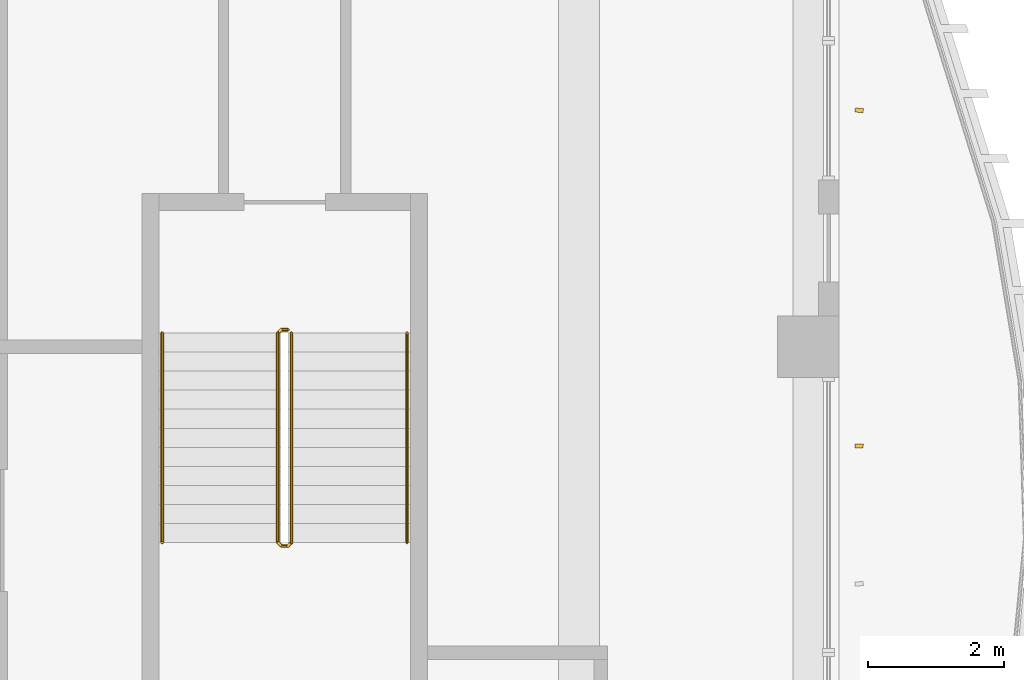
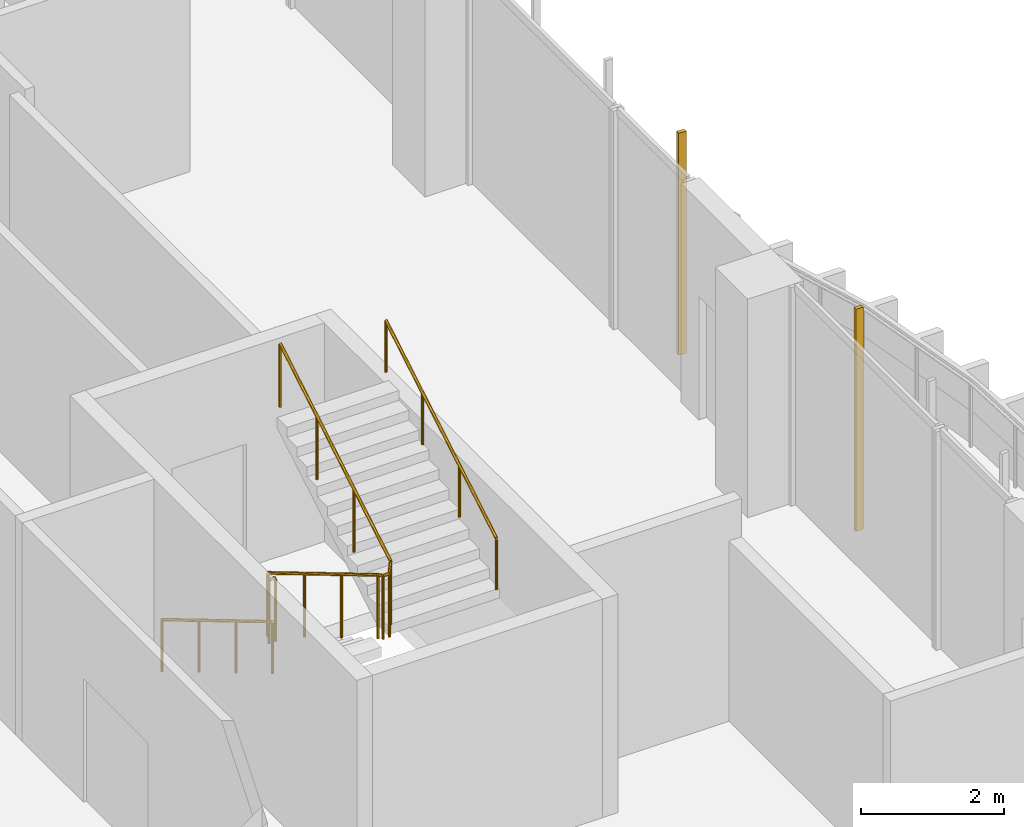
# One storey, part 21 of 25: 3 railings, 2 shading devices.
"""IFC4 building model written with IfcOpenShell, lengths in metres."""

import ifcopenshell
import ifcopenshell.guid

model = None  # the IFC model being written
_history = None  # IfcOwnerHistory: only IFC2X3 demands one
_inside = {}  # id of a spatial element -> (the spatial element, [elements in it])
_under = {}  # id of a project, library or spatial element -> (it, [spatial elements below it])
_declared = {}  # id of a project -> (the project, [libraries it declares])
_typed = {}  # id of a type object -> (the type object, [elements of that type])
_made_of = {}  # id of a material, layer set ... -> (it, [elements and type objects made of it])


def new_model(schema):
    """Start an empty IFC model of exactly this schema.

    Asked for "IFC4X3", IfcOpenShell would pick the latest addendum, in which some entities
    have other attributes; the version numbers below select the first issue.
    IFC2X3 requires an IfcOwnerHistory on every rooted entity: one is made here for all.
    """
    global model, _history
    if schema == "IFC4X3":
        model = ifcopenshell.file(schema_version=(4, 3, 0, 0))
    else:
        model = ifcopenshell.file(schema=schema)
    _inside.clear()
    _under.clear()
    _declared.clear()
    _typed.clear()
    _made_of.clear()
    _history = None
    if model.schema == "IFC2X3":
        org = make("IfcOrganization", Name="unknown")
        user = make(
            "IfcPersonAndOrganization",
            ThePerson=make("IfcPerson", FamilyName="unknown"),
            TheOrganization=org,
        )
        app = make(
            "IfcApplication",
            ApplicationDeveloper=org,
            Version="unknown",
            ApplicationFullName="unknown",
            ApplicationIdentifier="unknown",
        )
        _history = make(
            "IfcOwnerHistory",
            OwningUser=user,
            OwningApplication=app,
            ChangeAction="ADDED",
            CreationDate=0,
        )
    return model


def make(cls, **values):
    """One entity of the class cls with the attributes given. An attribute that is None is left unset."""
    return model.create_entity(
        cls, **{name: value for name, value in values.items() if value is not None}
    )


def rooted(cls, **values):
    """An entity with a GlobalId (a new one), such as an element, a storey or a relation."""
    return make(cls, GlobalId=ifcopenshell.guid.new(), OwnerHistory=_history, **values)


def si_unit(unit_type, name, prefix=None):
    """IfcSIUnit, for example si_unit("LENGTHUNIT", "METRE", prefix="MILLI")."""
    return make("IfcSIUnit", UnitType=unit_type, Prefix=prefix, Name=name)


def assignment(units):
    """IfcUnitAssignment: the units of a project."""
    return None if units is None else make("IfcUnitAssignment", Units=units)


def point(xyz):
    """IfcCartesianPoint."""
    return None if xyz is None else make("IfcCartesianPoint", Coordinates=xyz)


def direction(xyz):
    """IfcDirection."""
    return None if xyz is None else make("IfcDirection", DirectionRatios=xyz)


def frame(location, z_axis=None, x_axis=None):
    """IfcAxis2Placement3D, a coordinate frame: its origin and axes. An axis left out is left unset."""
    return make(
        "IfcAxis2Placement3D",
        Location=point(location),
        Axis=direction(z_axis),
        RefDirection=direction(x_axis),
    )


def frame_2d(location, x_axis=None):
    """IfcAxis2Placement2D, a coordinate frame in the plane: its origin and x axis."""
    return make(
        "IfcAxis2Placement2D", Location=point(location), RefDirection=direction(x_axis)
    )


def origin():
    """The frame at (0, 0, 0) with its axes left unset."""
    return frame((0.0, 0.0, 0.0))


def origin_2d():
    """The frame at (0, 0) in the plane with its x axis left unset."""
    return frame_2d((0.0, 0.0))


def place(relative_to, where):
    """IfcLocalPlacement: puts the frame where relative to a parent placement (None: the world)."""
    return make(
        "IfcLocalPlacement", PlacementRelTo=relative_to, RelativePlacement=where
    )


def context(
    kind, dimensions, precision=None, world=None, true_north=None, identifier=None
):
    """IfcGeometricRepresentationContext, for example the 3D "Model" context."""
    return make(
        "IfcGeometricRepresentationContext",
        ContextIdentifier=identifier,
        ContextType=kind,
        CoordinateSpaceDimension=dimensions,
        Precision=precision,
        WorldCoordinateSystem=world,
        TrueNorth=true_north,
    )


def subcontext(parent, identifier, kind, view, scale=None):
    """IfcGeometricRepresentationSubContext, for example "Body" below "Model"."""
    return make(
        "IfcGeometricRepresentationSubContext",
        ContextIdentifier=identifier,
        ContextType=kind,
        ParentContext=parent,
        TargetScale=scale,
        TargetView=view,
    )


def project(units=None, contexts=None):
    """IfcProject with its units and contexts."""
    return rooted(
        "IfcProject",
        Name="project",
        RepresentationContexts=contexts,
        UnitsInContext=assignment(units),
    )


def spatial(cls, under=None, at=None, **own):
    """A site, building, storey or space (cls), placed at a placement, below another one or the project."""
    s = rooted(cls, ObjectPlacement=at, **own)
    if under is not None:
        _under.setdefault(under.id(), (under, []))[1].append(s)
    return s


def profile(cls, at=None, kind="AREA", **sizes):
    """A parametric profile (cls). Its sizes go by their IFC names, for example OverallWidth=200.0."""
    return make(cls, ProfileType=kind, Position=at, **sizes)


def rectangle(**sizes):
    """IfcRectangleProfileDef."""
    return profile("IfcRectangleProfileDef", **sizes)


def circle(**sizes):
    """IfcCircleProfileDef."""
    return profile("IfcCircleProfileDef", **sizes)


def extrude(swept, where, along, depth):
    """IfcExtrudedAreaSolid: the profile swept, set in the frame where, extruded along a direction by depth."""
    return make(
        "IfcExtrudedAreaSolid",
        SweptArea=swept,
        Position=where,
        ExtrudedDirection=direction(along),
        Depth=depth,
    )


def shape(context_of_items, identifier, shape_type, items):
    """IfcShapeRepresentation: the items that make up one representation, for example the "Body"."""
    return make(
        "IfcShapeRepresentation",
        ContextOfItems=context_of_items,
        RepresentationIdentifier=identifier,
        RepresentationType=shape_type,
        Items=items,
    )


def source(mapping_origin, context_of_items, identifier, shape_type, items):
    """IfcRepresentationMap: a shape defined once, which mapped items show again and again."""
    return make(
        "IfcRepresentationMap",
        MappingOrigin=mapping_origin,
        MappedRepresentation=shape(context_of_items, identifier, shape_type, items),
    )


def transform(
    local_origin,
    x_axis=None,
    y_axis=None,
    z_axis=None,
    scale=None,
    scale2=None,
    scale3=None,
    uniform=True,
):
    """IfcCartesianTransformationOperator3D, or its non-uniform kind. x_axis, y_axis, z_axis: its Axis1, 2, 3."""
    if uniform:
        return make(
            "IfcCartesianTransformationOperator3D",
            Axis1=direction(x_axis),
            Axis2=direction(y_axis),
            LocalOrigin=point(local_origin),
            Scale=scale,
            Axis3=direction(z_axis),
        )
    return make(
        "IfcCartesianTransformationOperator3DnonUniform",
        Axis1=direction(x_axis),
        Axis2=direction(y_axis),
        LocalOrigin=point(local_origin),
        Scale=scale,
        Axis3=direction(z_axis),
        Scale2=scale2,
        Scale3=scale3,
    )


def mapped(mapping_source, mapping_target):
    """IfcMappedItem: shows the shape of a source again, moved by a transform."""
    return make(
        "IfcMappedItem", MappingSource=mapping_source, MappingTarget=mapping_target
    )


def material(Name=None, Category=None):
    """IfcMaterial."""
    return make("IfcMaterial", Name=Name, Category=Category)


def material_profile(
    of_material, cross_section, Name=None, Category=None, Priority=None
):
    """IfcMaterialProfile: a cross section and its material."""
    return make(
        "IfcMaterialProfile",
        Name=Name,
        Material=of_material,
        Profile=cross_section,
        Priority=Priority,
        Category=Category,
    )


def profile_set(profiles, Name=None, composite=None):
    """IfcMaterialProfileSet."""
    return make(
        "IfcMaterialProfileSet",
        Name=Name,
        MaterialProfiles=profiles,
        CompositeProfile=composite,
    )


def made_of(thing, what):
    """Note that an element or type object is made of a material, layer set ...; save() writes the relation."""
    if what is not None:
        _made_of.setdefault(what.id(), (what, []))[1].append(thing)
    return thing


def type_object(cls, material=None, **own):
    """A type object (cls), such as IfcWallType, which elements share."""
    return made_of(rooted(cls, **own), material)


def element(
    cls,
    number,
    at=None,
    inside=None,
    cuts=None,
    type_object=None,
    material=None,
    context=None,
    identifier="Body",
    shape_type=None,
    held_by="IfcProductDefinitionShape",
    body=None,
    shapes=None,
    **own,
):
    """One element of the class cls, such as IfcWall. Its Tag is "e" and its number.

    at: its placement. inside: the storey or other place that contains it. cuts: it is an
    opening in that element (IfcRelVoidsElement). A single representation is given by context,
    identifier, shape_type and body (its items); several are given by shapes. held_by: the class
    of the entity that holds the representations. save() writes the other relations.
    """
    e = rooted(cls, Tag="e%d" % number, ObjectPlacement=at, **own)
    if body is not None:
        shapes = [shape(context, identifier, shape_type, body)]
    if shapes is not None:
        e.Representation = make(held_by, Representations=shapes)
    if inside is not None:
        _inside.setdefault(inside.id(), (inside, []))[1].append(e)
    if cuts is not None:
        rooted(
            "IfcRelVoidsElement", RelatingBuildingElement=cuts, RelatedOpeningElement=e
        )
    if type_object is not None:
        _typed.setdefault(type_object.id(), (type_object, []))[1].append(e)
    return made_of(e, material)


def aggregate(whole, parts):
    """IfcRelAggregates: a whole, such as a stair, and the parts it consists of."""
    return rooted("IfcRelAggregates", RelatingObject=whole, RelatedObjects=parts)


def save(model, path):
    """Write the relations noted so far, then the file.

    IfcRelAggregates (storeys below a building ...), IfcRelContainedInSpatialStructure (elements
    in a storey), IfcRelDefinesByType, IfcRelAssociatesMaterial and IfcRelDeclares: one each for
    every whole, place, type object, material and project.
    """
    for whole, parts in _under.values():
        aggregate(whole, parts)
    for where, things in _inside.values():
        rooted(
            "IfcRelContainedInSpatialStructure",
            RelatedElements=things,
            RelatingStructure=where,
        )
    for kind, things in _typed.values():
        rooted("IfcRelDefinesByType", RelatedObjects=things, RelatingType=kind)
    for what, things in _made_of.values():
        rooted("IfcRelAssociatesMaterial", RelatedObjects=things, RelatingMaterial=what)
    for by, libraries in _declared.values():
        rooted("IfcRelDeclares", RelatingContext=by, RelatedDefinitions=libraries)
    model.write(path)


model = new_model("IFC4")

# Units and contexts
model_context = context("Model", 3, precision=1e-05, world=origin(), true_north=direction((0.0, 1.0)))
body_context = subcontext(model_context, "Body", "Model", "MODEL_VIEW")
ifc_project = project(units=[si_unit("LENGTHUNIT", "METRE"), si_unit("AREAUNIT", "SQUARE_METRE"), si_unit("VOLUMEUNIT", "CUBIC_METRE"), si_unit("PLANEANGLEUNIT", "RADIAN"), si_unit("MASSUNIT", "GRAM", prefix="KILO")], contexts=[model_context])

# Site, building, storey
site_placement = place(None, origin())
site = spatial("IfcSite", under=ifc_project, at=site_placement, CompositionType="ELEMENT")
building_placement = place(site_placement, origin())
building = spatial("IfcBuilding", under=site, at=building_placement, Name="Kilnfold Tower and Market Hall", CompositionType="ELEMENT")
storey_placement = place(building_placement, frame((0.0, 0.0, 39.0)))
storey = spatial("IfcBuildingStorey", under=building, at=storey_placement, Name="L08", CompositionType="ELEMENT", Elevation=39.0)

# Railings
ifc_material_1 = material(Name="Stainless steel 316", Category="steel")
railing_type_1 = type_object("IfcRailingType", Name="CORE STAIR GUARD 1100", PredefinedType="GUARDRAIL", material=ifc_material_1)
railing_1_placement = place(storey_placement, frame((19.89990234375, -9.75, 0.0)))
element("IfcRailing", 1, at=railing_1_placement, inside=storey, type_object=railing_type_1, Name="L08 ST4 stair guard 1", PredefinedType="GUARDRAIL", context=body_context, shape_type="SweptSolid", body=[
    extrude(circle(Radius=0.02392578125, at=origin_2d()), frame((0.0, 0.0, 1.076171875), z_axis=(-1.0, 0.0, 0.0), x_axis=(0.0, -1.0, 0.0)), (0.0, 0.0, 1.0), 0.099853515625),
    extrude(circle(Radius=0.02392578125, at=origin_2d()), frame((-0.099853515625, 0.0, 1.076171875), z_axis=(-0.27628659633, -0.27628659633, 0.920506074601), x_axis=(0.707106781187, -0.707106781187, 0.0)), (0.0, 0.0, 1.0), 0.18115234375),
    extrude(circle(Radius=0.02392578125, at=origin_2d()), frame((-0.14990234375, -0.050048828125, 1.24267578125), z_axis=(0.0, -0.859290745958, 0.51148745235), x_axis=(1.0, 0.0, 0.0)), (0.0, 0.0, 1.0), 3.584228515625),
    extrude(circle(Radius=0.02392578125, at=origin_2d()), frame((-0.14990234375, -3.1298828125, 3.076171875), z_axis=(0.707106781187, -0.707106781187, 0.0), x_axis=(0.707106781187, 0.707106781187, 0.0)), (0.0, 0.0, 1.0), 0.07080078125),
    extrude(circle(Radius=0.02392578125, at=origin_2d()), frame((-0.099853515625, -3.179931640625, 3.076171875), z_axis=(1.0, 0.0, 0.0), x_axis=(0.0, 1.0, 0.0)), (0.0, 0.0, 1.0), 0.099853515625),
    extrude(circle(Radius=0.02392578125, at=origin_2d()), frame((0.0, -3.179931640625, 3.076171875), z_axis=(0.27628659633, 0.27628659633, 0.920506074601), x_axis=(-0.707106781187, 0.707106781187, 0.0)), (0.0, 0.0, 1.0), 0.18115234375),
    extrude(circle(Radius=0.02392578125, at=origin_2d()), frame((0.050048828125, -3.1298828125, 3.24267578125), z_axis=(0.0, 0.859290745958, 0.51148745235), x_axis=(-1.0, 0.0, 0.0)), (0.0, 0.0, 1.0), 3.584228515625),
    extrude(circle(Radius=0.02099609375, at=origin_2d()), origin(), (0.0, 0.0, 1.0), 1.052001953125),
    extrude(circle(Radius=0.02099609375, at=origin_2d()), frame((-0.099853515625, 0.0, 0.0)), (0.0, 0.0, 1.0), 1.052001953125),
    extrude(circle(Radius=0.02099609375, at=origin_2d()), frame((-0.14990234375, -0.050048828125, 0.166748046875)), (0.0, 0.0, 1.0), 1.052001953125),
    extrude(circle(Radius=0.02099609375, at=origin_2d()), frame((-0.14990234375, -1.07666015625, 0.77783203125)), (0.0, 0.0, 1.0), 1.052001953125),
    extrude(circle(Radius=0.02099609375, at=origin_2d()), frame((-0.14990234375, -2.103271484375, 1.388916015625)), (0.0, 0.0, 1.0), 1.052001953125),
    extrude(circle(Radius=0.02099609375, at=origin_2d()), frame((-0.14990234375, -3.1298828125, 2.0)), (0.0, 0.0, 1.0), 1.052001953125),
    extrude(circle(Radius=0.02099609375, at=origin_2d()), frame((-0.099853515625, -3.179931640625, 2.0)), (0.0, 0.0, 1.0), 1.052001953125),
    extrude(circle(Radius=0.02099609375, at=origin_2d()), frame((0.0, -3.179931640625, 2.0)), (0.0, 0.0, 1.0), 1.052001953125),
    extrude(circle(Radius=0.02099609375, at=origin_2d()), frame((0.050048828125, -3.1298828125, 2.166748046875)), (0.0, 0.0, 1.0), 1.052001953125),
    extrude(circle(Radius=0.02099609375, at=origin_2d()), frame((0.050048828125, -2.103271484375, 2.77783203125)), (0.0, 0.0, 1.0), 1.052001953125),
    extrude(circle(Radius=0.02099609375, at=origin_2d()), frame((0.050048828125, -1.07666015625, 3.388916015625)), (0.0, 0.0, 1.0), 1.052001953125),
    extrude(circle(Radius=0.02099609375, at=origin_2d()), frame((0.050048828125, -0.050048828125, 4.0)), (0.0, 0.0, 1.0), 1.052001953125),
])
ifc_material_2 = material(Name="Stainless steel 316", Category="steel")
railing_type_2 = type_object("IfcRailingType", Name="CORE STAIR HANDRAIL 900", PredefinedType="HANDRAIL", material=ifc_material_2)
railing_2_placement = place(storey_placement, frame((18.050048828125, -9.800048828125, 0.166748046875)))
element("IfcRailing", 2, at=railing_2_placement, inside=storey, type_object=railing_type_2, Name="L08 ST4 stair handrail 1", PredefinedType="HANDRAIL", context=body_context, shape_type="SweptSolid", body=[
    extrude(circle(Radius=0.02392578125, at=origin_2d()), frame((0.0, 0.0, 0.8759765625), z_axis=(0.0, -0.859290745958, 0.51148745235), x_axis=(1.0, 0.0, 0.0)), (0.0, 0.0, 1.0), 3.584228515625),
    extrude(circle(Radius=0.02099609375, at=origin_2d()), origin(), (0.0, 0.0, 1.0), 0.851806640625),
    extrude(circle(Radius=0.02099609375, at=origin_2d()), frame((0.0, -1.026611328125, 0.611083984375)), (0.0, 0.0, 1.0), 0.851806640625),
    extrude(circle(Radius=0.02099609375, at=origin_2d()), frame((0.0, -2.05322265625, 1.22216796875)), (0.0, 0.0, 1.0), 0.851806640625),
    extrude(circle(Radius=0.02099609375, at=origin_2d()), frame((0.0, -3.079833984375, 1.833251953125)), (0.0, 0.0, 1.0), 0.851806640625),
])
railing_3_placement = place(storey_placement, frame((21.64990234375, -12.8798828125, 2.166748046875)))
element("IfcRailing", 3, at=railing_3_placement, inside=storey, type_object=railing_type_2, Name="L08 ST4 stair handrail 2", PredefinedType="HANDRAIL", context=body_context, shape_type="SweptSolid", body=[
    extrude(circle(Radius=0.02392578125, at=origin_2d()), frame((0.0, 0.0, 0.8759765625), z_axis=(0.0, 0.859290745958, 0.51148745235), x_axis=(-1.0, 0.0, 0.0)), (0.0, 0.0, 1.0), 3.584228515625),
    extrude(circle(Radius=0.02099609375, at=origin_2d()), origin(), (0.0, 0.0, 1.0), 0.851806640625),
    extrude(circle(Radius=0.02099609375, at=origin_2d()), frame((0.0, 1.026611328125, 0.611083984375)), (0.0, 0.0, 1.0), 0.851806640625),
    extrude(circle(Radius=0.02099609375, at=origin_2d()), frame((0.0, 2.05322265625, 1.22216796875)), (0.0, 0.0, 1.0), 0.851806640625),
    extrude(circle(Radius=0.02099609375, at=origin_2d()), frame((0.0, 3.079833984375, 1.833251953125)), (0.0, 0.0, 1.0), 0.851806640625),
])

# Shading devices
ifc_material_3 = material(Name="Terracotta", Category="masonry")
ifc_material_profile = material_profile(ifc_material_3, rectangle(XDim=0.06005859375, YDim=0.1201171875, at=origin_2d()), Name="BAG 60x120")
ifc_profile_set = profile_set([ifc_material_profile], Name="Terracotta")
shading_device_type = type_object("IfcShadingDeviceType", Name="BAGUETTE", PredefinedType="USERDEFINED", material=ifc_profile_set)
shared_shape = source(origin(), body_context, "Body", "SweptSolid", [
    extrude(rectangle(XDim=0.06005859375, YDim=0.1201171875, at=origin_2d()), origin(), (0.0, 0.0, 1.0), 3.780029296875),
])
for number, where, z_axis, x_axis, name in (
    (4, (28.300048828125, -11.46240234375, 0.0), (0.0, 0.0, 1.0), (0.012967432893, 0.999915919307, 0.0), "Terracotta baguette L08 E"),
    (5, (28.300048828125, -6.52490234375, 0.0), (0.0, 0.0, 1.0), (0.103099818732, 0.994671014646, 0.0), "Terracotta baguette L08 E"),
):
    element("IfcShadingDevice", number, at=place(storey_placement, frame(where, z_axis=z_axis, x_axis=x_axis)), inside=storey, type_object=shading_device_type, Name=name, ObjectType="BAGUETTE", PredefinedType="USERDEFINED", context=body_context, shape_type="MappedRepresentation", body=[
        mapped(shared_shape, transform((0.0, 0.0, 0.0))),
    ])

save(model, "model.ifc")
